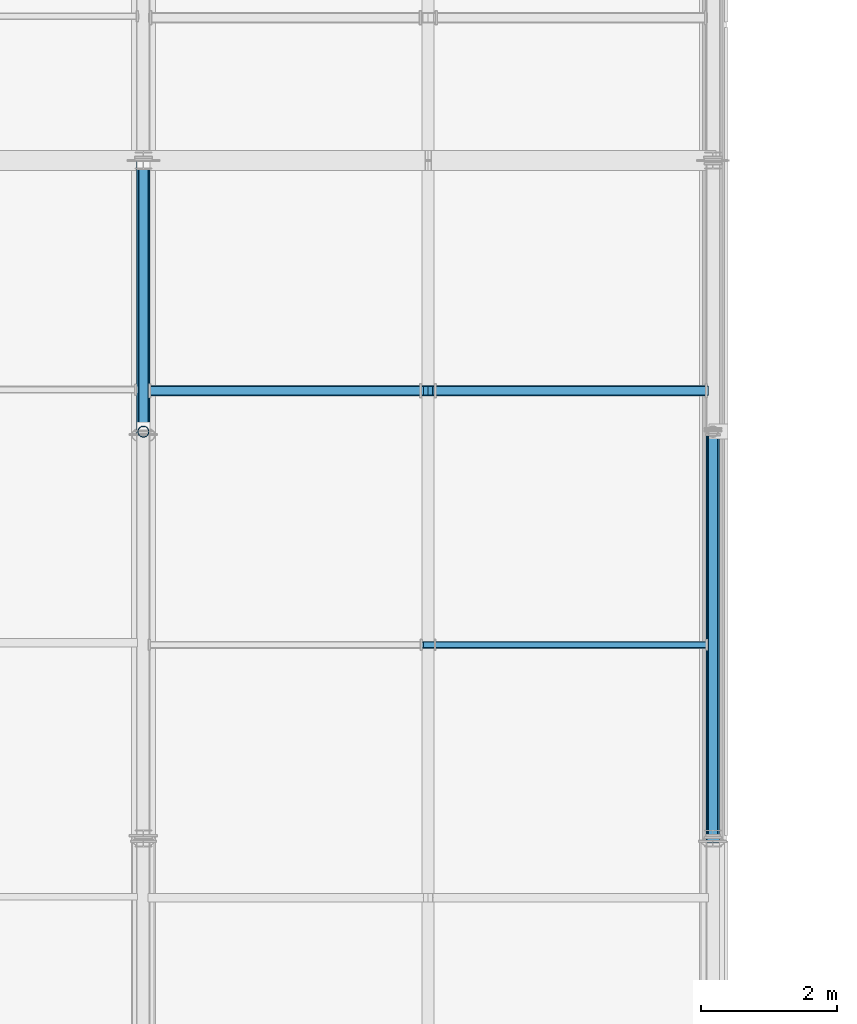
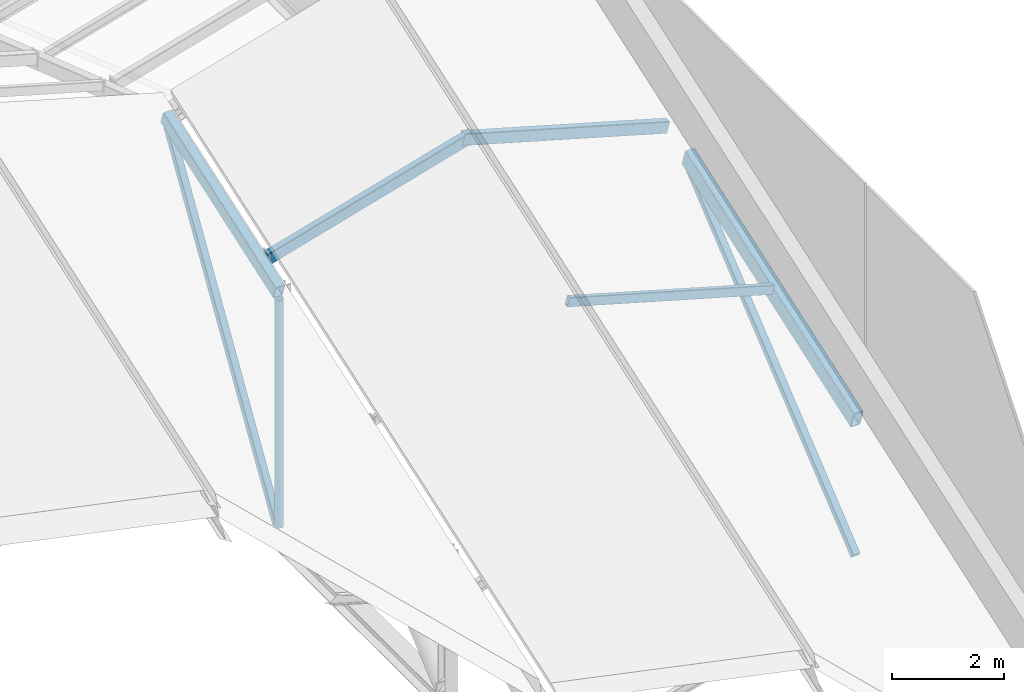
# One storey, part 31 of 77: 8 members.
"""IFC4 building model written with IfcOpenShell, lengths in metres."""

import ifcopenshell
import ifcopenshell.guid

model = None  # the IFC model being written
_history = None  # IfcOwnerHistory: only IFC2X3 demands one
_inside = {}  # id of a spatial element -> (the spatial element, [elements in it])
_under = {}  # id of a project, library or spatial element -> (it, [spatial elements below it])
_declared = {}  # id of a project -> (the project, [libraries it declares])
_typed = {}  # id of a type object -> (the type object, [elements of that type])
_made_of = {}  # id of a material, layer set ... -> (it, [elements and type objects made of it])


def new_model(schema):
    """Start an empty IFC model of exactly this schema.

    Asked for "IFC4X3", IfcOpenShell would pick the latest addendum, in which some entities
    have other attributes; the version numbers below select the first issue.
    IFC2X3 requires an IfcOwnerHistory on every rooted entity: one is made here for all.
    """
    global model, _history
    if schema == "IFC4X3":
        model = ifcopenshell.file(schema_version=(4, 3, 0, 0))
    else:
        model = ifcopenshell.file(schema=schema)
    _inside.clear()
    _under.clear()
    _declared.clear()
    _typed.clear()
    _made_of.clear()
    _history = None
    if model.schema == "IFC2X3":
        org = make("IfcOrganization", Name="unknown")
        user = make(
            "IfcPersonAndOrganization",
            ThePerson=make("IfcPerson", FamilyName="unknown"),
            TheOrganization=org,
        )
        app = make(
            "IfcApplication",
            ApplicationDeveloper=org,
            Version="unknown",
            ApplicationFullName="unknown",
            ApplicationIdentifier="unknown",
        )
        _history = make(
            "IfcOwnerHistory",
            OwningUser=user,
            OwningApplication=app,
            ChangeAction="ADDED",
            CreationDate=0,
        )
    return model


def make(cls, **values):
    """One entity of the class cls with the attributes given. An attribute that is None is left unset."""
    return model.create_entity(
        cls, **{name: value for name, value in values.items() if value is not None}
    )


def rooted(cls, **values):
    """An entity with a GlobalId (a new one), such as an element, a storey or a relation."""
    return make(cls, GlobalId=ifcopenshell.guid.new(), OwnerHistory=_history, **values)


def si_unit(unit_type, name, prefix=None):
    """IfcSIUnit, for example si_unit("LENGTHUNIT", "METRE", prefix="MILLI")."""
    return make("IfcSIUnit", UnitType=unit_type, Prefix=prefix, Name=name)


def assignment(units):
    """IfcUnitAssignment: the units of a project."""
    return None if units is None else make("IfcUnitAssignment", Units=units)


def point(xyz):
    """IfcCartesianPoint."""
    return None if xyz is None else make("IfcCartesianPoint", Coordinates=xyz)


def direction(xyz):
    """IfcDirection."""
    return None if xyz is None else make("IfcDirection", DirectionRatios=xyz)


def frame(location, z_axis=None, x_axis=None):
    """IfcAxis2Placement3D, a coordinate frame: its origin and axes. An axis left out is left unset."""
    return make(
        "IfcAxis2Placement3D",
        Location=point(location),
        Axis=direction(z_axis),
        RefDirection=direction(x_axis),
    )


def frame_2d(location, x_axis=None):
    """IfcAxis2Placement2D, a coordinate frame in the plane: its origin and x axis."""
    return make(
        "IfcAxis2Placement2D", Location=point(location), RefDirection=direction(x_axis)
    )


def origin():
    """The frame at (0, 0, 0) with its axes left unset."""
    return frame((0.0, 0.0, 0.0))


def origin_2d():
    """The frame at (0, 0) in the plane with its x axis left unset."""
    return frame_2d((0.0, 0.0))


def place(relative_to, where):
    """IfcLocalPlacement: puts the frame where relative to a parent placement (None: the world)."""
    return make(
        "IfcLocalPlacement", PlacementRelTo=relative_to, RelativePlacement=where
    )


def context(
    kind, dimensions, precision=None, world=None, true_north=None, identifier=None
):
    """IfcGeometricRepresentationContext, for example the 3D "Model" context."""
    return make(
        "IfcGeometricRepresentationContext",
        ContextIdentifier=identifier,
        ContextType=kind,
        CoordinateSpaceDimension=dimensions,
        Precision=precision,
        WorldCoordinateSystem=world,
        TrueNorth=true_north,
    )


def subcontext(parent, identifier, kind, view, scale=None):
    """IfcGeometricRepresentationSubContext, for example "Body" below "Model"."""
    return make(
        "IfcGeometricRepresentationSubContext",
        ContextIdentifier=identifier,
        ContextType=kind,
        ParentContext=parent,
        TargetScale=scale,
        TargetView=view,
    )


def project(units=None, contexts=None):
    """IfcProject with its units and contexts."""
    return rooted(
        "IfcProject",
        Name="project",
        RepresentationContexts=contexts,
        UnitsInContext=assignment(units),
    )


def spatial(cls, under=None, at=None, **own):
    """A site, building, storey or space (cls), placed at a placement, below another one or the project."""
    s = rooted(cls, ObjectPlacement=at, **own)
    if under is not None:
        _under.setdefault(under.id(), (under, []))[1].append(s)
    return s


def profile(cls, at=None, kind="AREA", **sizes):
    """A parametric profile (cls). Its sizes go by their IFC names, for example OverallWidth=200.0."""
    return make(cls, ProfileType=kind, Position=at, **sizes)


def hollow_rectangle(**sizes):
    """IfcRectangleHollowProfileDef."""
    return profile("IfcRectangleHollowProfileDef", **sizes)


def hollow_circle(**sizes):
    """IfcCircleHollowProfileDef."""
    return profile("IfcCircleHollowProfileDef", **sizes)


def extrude(swept, where, along, depth):
    """IfcExtrudedAreaSolid: the profile swept, set in the frame where, extruded along a direction by depth."""
    return make(
        "IfcExtrudedAreaSolid",
        SweptArea=swept,
        Position=where,
        ExtrudedDirection=direction(along),
        Depth=depth,
    )


def shape(context_of_items, identifier, shape_type, items):
    """IfcShapeRepresentation: the items that make up one representation, for example the "Body"."""
    return make(
        "IfcShapeRepresentation",
        ContextOfItems=context_of_items,
        RepresentationIdentifier=identifier,
        RepresentationType=shape_type,
        Items=items,
    )


def material(Name=None, Category=None):
    """IfcMaterial."""
    return make("IfcMaterial", Name=Name, Category=Category)


def material_profile(
    of_material, cross_section, Name=None, Category=None, Priority=None
):
    """IfcMaterialProfile: a cross section and its material."""
    return make(
        "IfcMaterialProfile",
        Name=Name,
        Material=of_material,
        Profile=cross_section,
        Priority=Priority,
        Category=Category,
    )


def profile_set(profiles, Name=None, composite=None):
    """IfcMaterialProfileSet."""
    return make(
        "IfcMaterialProfileSet",
        Name=Name,
        MaterialProfiles=profiles,
        CompositeProfile=composite,
    )


def made_of(thing, what):
    """Note that an element or type object is made of a material, layer set ...; save() writes the relation."""
    if what is not None:
        _made_of.setdefault(what.id(), (what, []))[1].append(thing)
    return thing


def type_object(cls, material=None, **own):
    """A type object (cls), such as IfcWallType, which elements share."""
    return made_of(rooted(cls, **own), material)


def element(
    cls,
    number,
    at=None,
    inside=None,
    cuts=None,
    type_object=None,
    material=None,
    context=None,
    identifier="Body",
    shape_type=None,
    held_by="IfcProductDefinitionShape",
    body=None,
    shapes=None,
    **own,
):
    """One element of the class cls, such as IfcWall. Its Tag is "e" and its number.

    at: its placement. inside: the storey or other place that contains it. cuts: it is an
    opening in that element (IfcRelVoidsElement). A single representation is given by context,
    identifier, shape_type and body (its items); several are given by shapes. held_by: the class
    of the entity that holds the representations. save() writes the other relations.
    """
    e = rooted(cls, Tag="e%d" % number, ObjectPlacement=at, **own)
    if body is not None:
        shapes = [shape(context, identifier, shape_type, body)]
    if shapes is not None:
        e.Representation = make(held_by, Representations=shapes)
    if inside is not None:
        _inside.setdefault(inside.id(), (inside, []))[1].append(e)
    if cuts is not None:
        rooted(
            "IfcRelVoidsElement", RelatingBuildingElement=cuts, RelatedOpeningElement=e
        )
    if type_object is not None:
        _typed.setdefault(type_object.id(), (type_object, []))[1].append(e)
    return made_of(e, material)


def aggregate(whole, parts):
    """IfcRelAggregates: a whole, such as a stair, and the parts it consists of."""
    return rooted("IfcRelAggregates", RelatingObject=whole, RelatedObjects=parts)


def save(model, path):
    """Write the relations noted so far, then the file.

    IfcRelAggregates (storeys below a building ...), IfcRelContainedInSpatialStructure (elements
    in a storey), IfcRelDefinesByType, IfcRelAssociatesMaterial and IfcRelDeclares: one each for
    every whole, place, type object, material and project.
    """
    for whole, parts in _under.values():
        aggregate(whole, parts)
    for where, things in _inside.values():
        rooted(
            "IfcRelContainedInSpatialStructure",
            RelatedElements=things,
            RelatingStructure=where,
        )
    for kind, things in _typed.values():
        rooted("IfcRelDefinesByType", RelatedObjects=things, RelatingType=kind)
    for what, things in _made_of.values():
        rooted("IfcRelAssociatesMaterial", RelatedObjects=things, RelatingMaterial=what)
    for by, libraries in _declared.values():
        rooted("IfcRelDeclares", RelatingContext=by, RelatedDefinitions=libraries)
    model.write(path)


model = new_model("IFC4")

# Units and contexts
model_context = context("Model", 3, precision=1e-05, world=origin(), true_north=direction((0.0, 1.0)))
body_context = subcontext(model_context, "Body", "Model", "MODEL_VIEW")
ifc_project = project(units=[si_unit("LENGTHUNIT", "METRE"), si_unit("AREAUNIT", "SQUARE_METRE"), si_unit("VOLUMEUNIT", "CUBIC_METRE"), si_unit("PLANEANGLEUNIT", "RADIAN"), si_unit("MASSUNIT", "GRAM", prefix="KILO")], contexts=[model_context])

# Site, building, storey
site_placement = place(None, origin())
site = spatial("IfcSite", under=ifc_project, at=site_placement, CompositionType="ELEMENT")
building_placement = place(site_placement, origin())
building = spatial("IfcBuilding", under=site, at=building_placement, Name="Larkvane Passage Sports Hall", CompositionType="ELEMENT")
storey_placement = place(building_placement, frame((0.0, 0.0, 22.199951171875)))
storey = spatial("IfcBuildingStorey", under=building, at=storey_placement, Name="RF", CompositionType="ELEMENT", Elevation=22.199951171875)

# Members
ifc_material_1 = material(Name="Steel S355JR", Category="steel")
ifc_material_profile_1 = material_profile(ifc_material_1, hollow_rectangle(XDim=0.14990234375, YDim=0.14990234375, WallThickness=0.008056640625, InnerFilletRadius=0.008056640625, OuterFilletRadius=0.01611328125, at=origin_2d()), Name="SHS-150x150x8")
ifc_profile_set_1 = profile_set([ifc_material_profile_1], Name="Steel S355JR")
member_type_1 = type_object("IfcMemberType", Name="MBR-BR-SHS150", PredefinedType="BRACE", material=ifc_profile_set_1)
member_1_placement = place(storey_placement, frame((85.199951171875, 57.64990234375, 0.215087890625), z_axis=(0.0, 0.52486529604, 0.851185303569), x_axis=(-1.0, 0.0, 0.0)))
element("IfcMember", 1, at=member_1_placement, inside=storey, type_object=member_type_1, Name="Arena roof truss 7 web brace 4", PredefinedType="BRACE", context=body_context, shape_type="SweptSolid", body=[
    extrude(hollow_rectangle(XDim=0.14990234375, YDim=0.14990234375, WallThickness=0.008056640625, InnerFilletRadius=0.008056640625, OuterFilletRadius=0.01611328125, at=origin_2d()), origin(), (0.0, 0.0, 1.0), 7.4306640625),
])
member_2_placement = place(storey_placement, frame((93.60009765625, 51.64990234375, 0.239990234375), z_axis=(0.0, 0.771338416742, 0.636425209163), x_axis=(-1.0, 0.0, 0.0)))
element("IfcMember", 2, at=member_2_placement, inside=storey, type_object=member_type_1, Name="Arena roof truss 8 web brace 3", PredefinedType="BRACE", context=body_context, shape_type="SweptSolid", body=[
    extrude(hollow_rectangle(XDim=0.14990234375, YDim=0.14990234375, WallThickness=0.008056640625, InnerFilletRadius=0.008056640625, OuterFilletRadius=0.01611328125, at=origin_2d()), origin(), (0.0, 0.0, 1.0), 7.649169921875),
])
ifc_material_2 = material(Name="Steel S460N", Category="steel")
ifc_material_profile_2 = material_profile(ifc_material_2, hollow_rectangle(XDim=0.199951171875, YDim=0.300048828125, WallThickness=0.011962890625, InnerFilletRadius=0.011962890625, OuterFilletRadius=0.02392578125, at=origin_2d()), Name="RHS-300x200x12")
ifc_profile_set_2 = profile_set([ifc_material_profile_2], Name="Steel S460N")
member_type_2 = type_object("IfcMemberType", Name="MBR-CH-RHS300", PredefinedType="CHORD", material=ifc_profile_set_2)
member_3_placement = place(storey_placement, frame((85.199951171875, 57.60009765625, 5.29833984375), z_axis=(0.0, 0.945206714131, 0.326472460649), x_axis=(-1.0, 0.0, 0.0)))
element("IfcMember", 3, at=member_3_placement, inside=storey, type_object=member_type_2, Name="Arena roof truss 7 top chord 4", PredefinedType="CHORD", context=body_context, shape_type="SweptSolid", body=[
    extrude(hollow_rectangle(XDim=0.199951171875, YDim=0.300048828125, WallThickness=0.011962890625, InnerFilletRadius=0.011962890625, OuterFilletRadius=0.02392578125, at=origin_2d()), origin(), (0.0, 0.0, 1.0), 4.23193359375),
])
ifc_material_profile_3 = material_profile(ifc_material_2, hollow_rectangle(XDim=0.199951171875, YDim=0.39990234375, WallThickness=0.013916015625, InnerFilletRadius=0.013916015625, OuterFilletRadius=0.028076171875, at=origin_2d()), Name="RHS-400x200x14")
ifc_profile_set_3 = profile_set([ifc_material_profile_3], Name="Steel S460N")
member_type_3 = type_object("IfcMemberType", Name="MBR-CH-RHS400", PredefinedType="CHORD", material=ifc_profile_set_3)
member_4_placement = place(storey_placement, frame((93.60009765625, 51.60009765625, 3.2255859375), z_axis=(0.0, 0.945188910593, 0.326524001096), x_axis=(-1.0, 0.0, 0.0)))
element("IfcMember", 4, at=member_4_placement, inside=storey, type_object=member_type_3, Name="Arena roof truss 8 top chord 3", PredefinedType="CHORD", context=body_context, shape_type="SweptSolid", body=[
    extrude(hollow_rectangle(XDim=0.199951171875, YDim=0.39990234375, WallThickness=0.013916015625, InnerFilletRadius=0.013916015625, OuterFilletRadius=0.028076171875, at=origin_2d()), origin(), (0.0, 0.0, 1.0), 6.347900390625),
])
ifc_material_profile_4 = material_profile(ifc_material_1, hollow_rectangle(XDim=0.10009765625, YDim=0.199951171875, WallThickness=0.008056640625, InnerFilletRadius=0.008056640625, OuterFilletRadius=0.01611328125, at=origin_2d()), Name="RHS-200x100x8")
ifc_profile_set_4 = profile_set([ifc_material_profile_4], Name="Steel S355JR")
member_type_4 = type_object("IfcMemberType", Name="MBR-PR-RHS200", PredefinedType="PURLIN", material=ifc_profile_set_4)
member_5_placement = place(storey_placement, frame((89.304931640625, 54.455078125, 5.55908203125), z_axis=(0.961511291812, 0.0, -0.274765419436), x_axis=(0.0, 1.0, 0.0)))
element("IfcMember", 5, at=member_5_placement, inside=storey, type_object=member_type_4, Name="Folded roof purlin FRP-B7-SE-4", PredefinedType="PURLIN", context=body_context, shape_type="SweptSolid", body=[
    extrude(hollow_rectangle(XDim=0.10009765625, YDim=0.199951171875, WallThickness=0.008056640625, InnerFilletRadius=0.008056640625, OuterFilletRadius=0.01611328125, at=origin_2d()), origin(), (0.0, 0.0, 1.0), 4.3681640625),
])
ifc_material_profile_5 = material_profile(ifc_material_1, hollow_rectangle(XDim=0.14990234375, YDim=0.25, WallThickness=0.009033203125, InnerFilletRadius=0.009033203125, OuterFilletRadius=0.01806640625, at=origin_2d()), Name="RHS-250x150x9")
ifc_profile_set_5 = profile_set([ifc_material_profile_5], Name="Steel S355JR")
member_type_5 = type_object("IfcMemberType", Name="MBR-PR-RHS250", PredefinedType="PURLIN", material=ifc_profile_set_5)
for number, where, z_axis, x_axis, name in (
    (6, (85.3017578125, 58.202880859375, 5.628173828125), (0.96152605678, 0.0, 0.274713745804), (0.0, 1.0, 0.0), "Folded roof purlin FRP-B7-SW-5"),
    (7, (89.29833984375, 58.202880859375, 6.828125), (0.96152605678, 0.0, -0.274713745804), (0.0, 1.0, 0.0), "Folded roof purlin FRP-B7-SE-5"),
):
    element("IfcMember", number, at=place(storey_placement, frame(where, z_axis=z_axis, x_axis=x_axis)), inside=storey, type_object=member_type_5, Name=name, PredefinedType="PURLIN", context=body_context, shape_type="SweptSolid", body=[
        extrude(hollow_rectangle(XDim=0.14990234375, YDim=0.25, WallThickness=0.009033203125, InnerFilletRadius=0.009033203125, OuterFilletRadius=0.01806640625, at=origin_2d()), origin(), (0.0, 0.0, 1.0), 4.367919921875),
    ])
ifc_material_profile_6 = material_profile(ifc_material_1, hollow_circle(Radius=0.08251953125, WallThickness=0.006103515625, at=origin_2d()), Name="CHS-165.2x6.0")
ifc_profile_set_6 = profile_set([ifc_material_profile_6], Name="Steel S355JR")
member_type_6 = type_object("IfcMemberType", Name="MBR-ST-CHS165", PredefinedType="STRUT", material=ifc_profile_set_6)
member_6_placement = place(storey_placement, frame((85.199951171875, 57.60009765625, 0.215087890625), z_axis=(0.0, 0.0, 1.0), x_axis=(1.0, 0.0, 0.0)))
element("IfcMember", 8, at=member_6_placement, inside=storey, type_object=member_type_6, Name="Arena roof truss 7 vertical strut 3", PredefinedType="STRUT", context=body_context, shape_type="SweptSolid", body=[
    extrude(hollow_circle(Radius=0.08251953125, WallThickness=0.006103515625, at=origin_2d()), origin(), (0.0, 0.0, 1.0), 4.943115234375),
])

save(model, "model.ifc")
